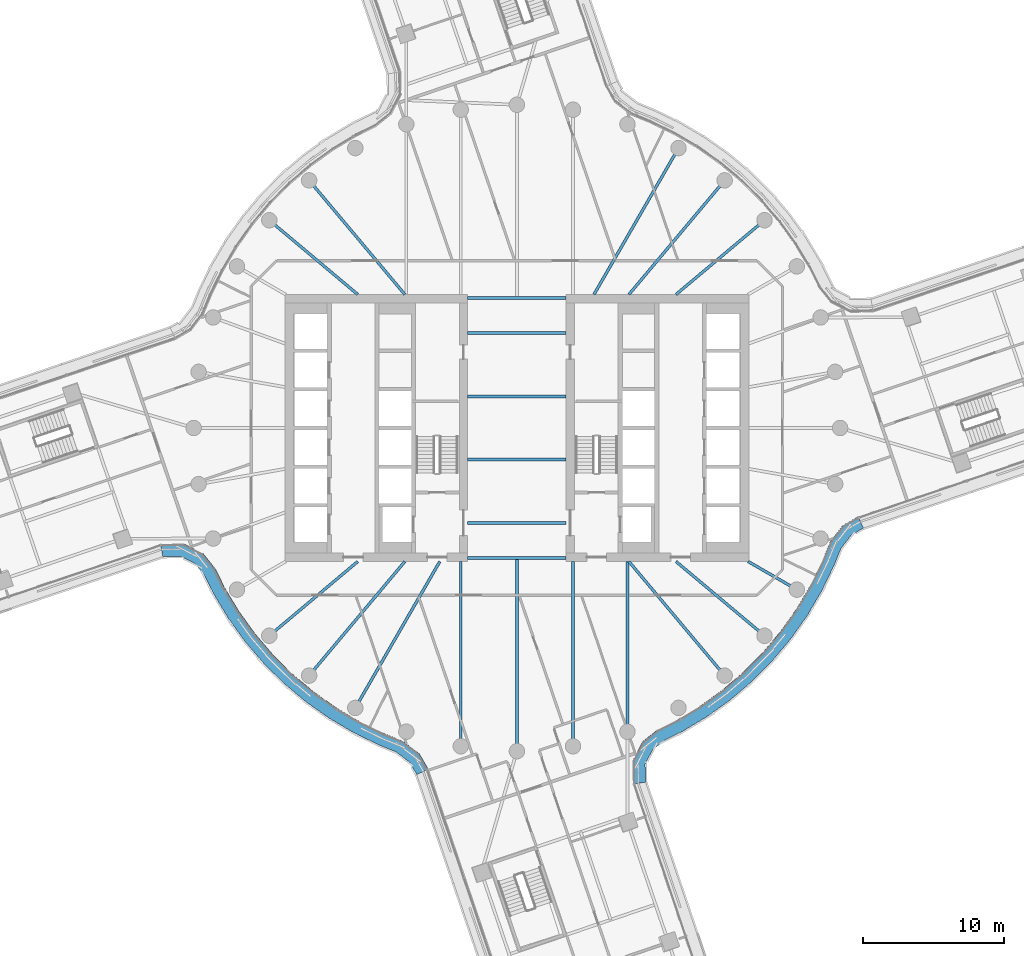
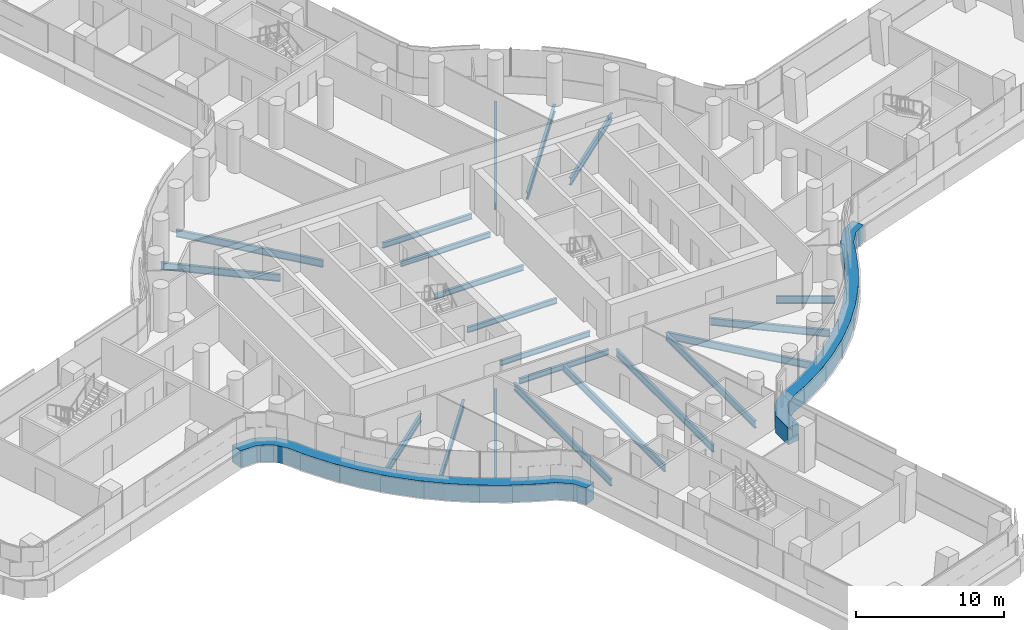
# One storey, part 8 of 29: 21 beams, 2 members, 2 elements without a shape of their own.
"""IFC4 building model written with IfcOpenShell, lengths in metres."""

from ifc_helpers import new_model, si_unit, direction, frame, origin, origin_2d, place, context, subcontext, project, spatial, polyline, i_section, outline, extrude, material, layer, layer_set, material_profile, profile_set, type_object, element, aggregate, save


model = new_model("IFC4")

# Units and contexts
model_context = context("Model", 3, precision=1e-05, world=origin(), true_north=direction((0.0, 1.0)))
body_context = subcontext(model_context, "Body", "Model", "MODEL_VIEW")
ifc_project = project(units=[si_unit("LENGTHUNIT", "METRE"), si_unit("AREAUNIT", "SQUARE_METRE"), si_unit("VOLUMEUNIT", "CUBIC_METRE"), si_unit("PLANEANGLEUNIT", "RADIAN"), si_unit("MASSUNIT", "GRAM", prefix="KILO")], contexts=[model_context])

# Site, building, storey
site_placement = place(None, origin())
site = spatial("IfcSite", under=ifc_project, at=site_placement, CompositionType="ELEMENT")
building_placement = place(site_placement, origin())
building = spatial("IfcBuilding", under=site, at=building_placement, Name="Tamarind Cross Interchange Tower", CompositionType="ELEMENT")
storey_placement = place(building_placement, frame((0.0, 0.0, 102.25)))
storey = spatial("IfcBuildingStorey", under=building, at=storey_placement, Name="L24", CompositionType="ELEMENT", Elevation=102.25)

# Beams
ifc_material_1 = material(Name="Steel Q355B", Category="steel")
ifc_material_profile_1 = material_profile(ifc_material_1, i_section(OverallWidth=0.198974609375, OverallDepth=0.446044921875, WebThickness=0.008056640625, FlangeThickness=0.011962890625, FilletRadius=0.012939453125, at=origin_2d()), Name="HN 446x199x8x12")
ifc_profile_set_1 = profile_set([ifc_material_profile_1], Name="Steel Q355B")
beam_type_1 = type_object("IfcBeamType", Name="Composite beam HN 446x199x8x12 Q355B", PredefinedType="BEAM", material=ifc_profile_set_1)
for number, where, z_axis, x_axis, name in (
    (1, (-3.5, -2.25, -0.363037109375), (1.0, 0.0, 0.0), (0.0, 1.0, 0.0), "Beam G-2.25"),
    (2, (-3.5, -6.75, -0.363037109375), (1.0, 0.0, 0.0), (0.0, 1.0, 0.0), "Beam G-6.75"),
    (3, (-3.5, -9.25, -0.363037109375), (1.0, 0.0, 0.0), (0.0, 1.0, 0.0), "Beam G-9.25"),
    (4, (-3.5, 2.25, -0.363037109375), (1.0, 0.0, 0.0), (0.0, 1.0, 0.0), "Beam G2.25"),
    (5, (-3.5, 6.75, -0.363037109375), (1.0, 0.0, 0.0), (0.0, 1.0, 0.0), "Beam G6.75"),
    (6, (-3.5, 9.25, -0.363037109375), (1.0, 0.0, 0.0), (0.0, 1.0, 0.0), "Beam G9.25"),
):
    element("IfcBeam", number, at=place(storey_placement, frame(where, z_axis=z_axis, x_axis=x_axis)), inside=storey, type_object=beam_type_1, Name=name, PredefinedType="BEAM", context=body_context, shape_type="SweptSolid", body=[
        extrude(i_section(OverallWidth=0.198974609375, OverallDepth=0.446044921875, WebThickness=0.008056640625, FlangeThickness=0.011962890625, FilletRadius=0.012939453125, at=origin_2d()), origin(), (0.0, 0.0, 1.0), 7.0),
    ])
ifc_material_profile_2 = material_profile(ifc_material_1, i_section(OverallWidth=0.198974609375, OverallDepth=0.595947265625, WebThickness=0.010009765625, FlangeThickness=0.014892578125, FilletRadius=0.012939453125, at=origin_2d()), Name="HN 596x199x10x15")
ifc_profile_set_2 = profile_set([ifc_material_profile_2], Name="Steel Q355B")
beam_type_2 = type_object("IfcBeamType", Name="Composite beam HN 596x199x10x15 Q355B", PredefinedType="BEAM", material=ifc_profile_set_2)
beam_1_placement = place(storey_placement, frame((17.619140625, 14.7841796875, -0.43798828125), z_axis=(-0.766040580814, -0.642792212574, 0.0), x_axis=(0.642792212574, -0.766040580814, 0.0)))
element("IfcBeam", 7, at=beam_1_placement, inside=storey, type_object=beam_type_2, Name="Beam HH04", PredefinedType="BEAM", context=body_context, shape_type="SweptSolid", body=[
    extrude(i_section(OverallWidth=0.198974609375, OverallDepth=0.595947265625, WebThickness=0.010009765625, FlangeThickness=0.014892578125, FilletRadius=0.012939453125, at=origin_2d()), origin(), (0.0, 0.0, 1.0), 8.220703125),
])
beam_2_placement = place(storey_placement, frame((14.7841796875, 17.619140625, -0.43798828125), z_axis=(-0.642786293979, -0.766045547127, 0.0), x_axis=(0.766045547127, -0.642786293979, 0.0)))
element("IfcBeam", 8, at=beam_2_placement, inside=storey, type_object=beam_type_2, Name="Beam HH05", PredefinedType="BEAM", context=body_context, shape_type="SweptSolid", body=[
    extrude(i_section(OverallWidth=0.198974609375, OverallDepth=0.595947265625, WebThickness=0.010009765625, FlangeThickness=0.014892578125, FilletRadius=0.012939453125, at=origin_2d()), origin(), (0.0, 0.0, 1.0), 10.598876953125),
])
beam_3_placement = place(storey_placement, frame((11.5, 19.918701171875, -0.43798828125), z_axis=(-0.499993565836, -0.866029118519, 0.0), x_axis=(0.866029118519, -0.499993565836, 0.0)))
element("IfcBeam", 9, at=beam_3_placement, inside=storey, type_object=beam_type_2, Name="Beam HH06", PredefinedType="BEAM", context=body_context, shape_type="SweptSolid", body=[
    extrude(i_section(OverallWidth=0.198974609375, OverallDepth=0.595947265625, WebThickness=0.010009765625, FlangeThickness=0.014892578125, FilletRadius=0.012939453125, at=origin_2d()), origin(), (0.0, 0.0, 1.0), 12.030517578125),
])
beam_4_placement = place(storey_placement, frame((-14.7841796875, 17.619140625, -0.43798828125), z_axis=(0.642786293979, -0.766045547127, 0.0), x_axis=(0.766045547127, 0.642786293979, 0.0)))
element("IfcBeam", 10, at=beam_4_placement, inside=storey, type_object=beam_type_2, Name="Beam HH13", PredefinedType="BEAM", context=body_context, shape_type="SweptSolid", body=[
    extrude(i_section(OverallWidth=0.198974609375, OverallDepth=0.595947265625, WebThickness=0.010009765625, FlangeThickness=0.014892578125, FilletRadius=0.012939453125, at=origin_2d()), origin(), (0.0, 0.0, 1.0), 10.598876953125),
])
for number, where, z_axis, x_axis, name in (
    (11, (-17.619140625, 14.7841796875, -0.43798828125), (0.766040580814, -0.642792212574, 0.0), (0.642792212574, 0.766040580814, 0.0), "Beam HH14"),
    (12, (-17.619140625, -14.7841796875, -0.43798828125), (0.766040580814, 0.642792212574, 0.0), (-0.642792212574, 0.766040580814, 0.0), "Beam HH22"),
):
    element("IfcBeam", number, at=place(storey_placement, frame(where, z_axis=z_axis, x_axis=x_axis)), inside=storey, type_object=beam_type_2, Name=name, PredefinedType="BEAM", context=body_context, shape_type="SweptSolid", body=[
        extrude(i_section(OverallWidth=0.198974609375, OverallDepth=0.595947265625, WebThickness=0.010009765625, FlangeThickness=0.014892578125, FilletRadius=0.012939453125, at=origin_2d()), origin(), (0.0, 0.0, 1.0), 8.220703125),
    ])
beam_5_placement = place(storey_placement, frame((-14.7841796875, -17.619140625, -0.43798828125), z_axis=(0.642786293979, 0.766045547127, 0.0), x_axis=(-0.766045547127, 0.642786293979, 0.0)))
element("IfcBeam", 13, at=beam_5_placement, inside=storey, type_object=beam_type_2, Name="Beam HH23", PredefinedType="BEAM", context=body_context, shape_type="SweptSolid", body=[
    extrude(i_section(OverallWidth=0.198974609375, OverallDepth=0.595947265625, WebThickness=0.010009765625, FlangeThickness=0.014892578125, FilletRadius=0.012939453125, at=origin_2d()), origin(), (0.0, 0.0, 1.0), 10.598876953125),
])
beam_6_placement = place(storey_placement, frame((-11.5, -19.918701171875, -0.43798828125), z_axis=(0.499993565836, 0.866029118519, 0.0), x_axis=(-0.866029118519, 0.499993565836, 0.0)))
element("IfcBeam", 14, at=beam_6_placement, inside=storey, type_object=beam_type_2, Name="Beam HH24", PredefinedType="BEAM", context=body_context, shape_type="SweptSolid", body=[
    extrude(i_section(OverallWidth=0.198974609375, OverallDepth=0.595947265625, WebThickness=0.010009765625, FlangeThickness=0.014892578125, FilletRadius=0.012939453125, at=origin_2d()), origin(), (0.0, 0.0, 1.0), 12.030517578125),
])
beam_7_placement = place(storey_placement, frame((-3.993896484375, -22.650634765625, -0.43798828125), z_axis=(0.0, 1.0, 0.0), x_axis=(-1.0, 0.0, 0.0)))
element("IfcBeam", 15, at=beam_7_placement, inside=storey, type_object=beam_type_2, Name="Beam HH26", PredefinedType="BEAM", context=body_context, shape_type="SweptSolid", body=[
    extrude(i_section(OverallWidth=0.198974609375, OverallDepth=0.595947265625, WebThickness=0.010009765625, FlangeThickness=0.014892578125, FilletRadius=0.012939453125, at=origin_2d()), origin(), (0.0, 0.0, 1.0), 13.150634765625),
])
beam_8_placement = place(storey_placement, frame((0.0, -23.0, -0.43798828125), z_axis=(0.0, 1.0, 0.0), x_axis=(-1.0, 0.0, 0.0)))
element("IfcBeam", 16, at=beam_8_placement, inside=storey, type_object=beam_type_2, Name="Beam HH27", PredefinedType="BEAM", context=body_context, shape_type="SweptSolid", body=[
    extrude(i_section(OverallWidth=0.198974609375, OverallDepth=0.595947265625, WebThickness=0.010009765625, FlangeThickness=0.014892578125, FilletRadius=0.012939453125, at=origin_2d()), origin(), (0.0, 0.0, 1.0), 13.75),
])
beam_9_placement = place(storey_placement, frame((3.993896484375, -22.650634765625, -0.43798828125), z_axis=(0.0, 1.0, 0.0), x_axis=(-1.0, 0.0, 0.0)))
element("IfcBeam", 17, at=beam_9_placement, inside=storey, type_object=beam_type_2, Name="Beam HH28", PredefinedType="BEAM", context=body_context, shape_type="SweptSolid", body=[
    extrude(i_section(OverallWidth=0.198974609375, OverallDepth=0.595947265625, WebThickness=0.010009765625, FlangeThickness=0.014892578125, FilletRadius=0.012939453125, at=origin_2d()), origin(), (0.0, 0.0, 1.0), 13.150634765625),
])
beam_10_placement = place(storey_placement, frame((7.866455078125, -21.613037109375, -0.43798828125), z_axis=(0.0, 1.0, 0.0), x_axis=(-1.0, 0.0, 0.0)))
element("IfcBeam", 18, at=beam_10_placement, inside=storey, type_object=beam_type_2, Name="Beam HH29", PredefinedType="BEAM", context=body_context, shape_type="SweptSolid", body=[
    extrude(i_section(OverallWidth=0.198974609375, OverallDepth=0.595947265625, WebThickness=0.010009765625, FlangeThickness=0.014892578125, FilletRadius=0.012939453125, at=origin_2d()), origin(), (0.0, 0.0, 1.0), 12.113037109375),
])
beam_11_placement = place(storey_placement, frame((14.7841796875, -17.619140625, -0.43798828125), z_axis=(-0.642786293979, 0.766045547127, 0.0), x_axis=(-0.766045547127, -0.642786293979, 0.0)))
element("IfcBeam", 19, at=beam_11_placement, inside=storey, type_object=beam_type_2, Name="Beam HH31", PredefinedType="BEAM", context=body_context, shape_type="SweptSolid", body=[
    extrude(i_section(OverallWidth=0.198974609375, OverallDepth=0.595947265625, WebThickness=0.010009765625, FlangeThickness=0.014892578125, FilletRadius=0.012939453125, at=origin_2d()), origin(), (0.0, 0.0, 1.0), 10.598876953125),
])
beam_12_placement = place(storey_placement, frame((17.619140625, -14.7841796875, -0.43798828125), z_axis=(-0.766040580814, 0.642792212574, 0.0), x_axis=(-0.642792212574, -0.766040580814, 0.0)))
element("IfcBeam", 20, at=beam_12_placement, inside=storey, type_object=beam_type_2, Name="Beam HH32", PredefinedType="BEAM", context=body_context, shape_type="SweptSolid", body=[
    extrude(i_section(OverallWidth=0.198974609375, OverallDepth=0.595947265625, WebThickness=0.010009765625, FlangeThickness=0.014892578125, FilletRadius=0.012939453125, at=origin_2d()), origin(), (0.0, 0.0, 1.0), 8.220703125),
])
beam_13_placement = place(storey_placement, frame((19.918701171875, -11.5, -0.43798828125), z_axis=(-0.866026010844, 0.49999894854, 0.0), x_axis=(-0.49999894854, -0.866026010844, 0.0)))
element("IfcBeam", 21, at=beam_13_placement, inside=storey, type_object=beam_type_2, Name="Beam HH33", PredefinedType="BEAM", context=body_context, shape_type="SweptSolid", body=[
    extrude(i_section(OverallWidth=0.198974609375, OverallDepth=0.595947265625, WebThickness=0.010009765625, FlangeThickness=0.014892578125, FilletRadius=0.012939453125, at=origin_2d()), origin(), (0.0, 0.0, 1.0), 4.0),
])

# Curtain wall, member
ifc_material_2 = material(Name="Aluminium 6063-T6", Category="aluminium")
ifc_layer = layer(ifc_material_2, 0.159912109375)
ifc_layer_set = layer_set([ifc_layer], Name="Aluminium 6063-T6")
curtain_wall_type = type_object("IfcCurtainWallType", Name="Office curtain wall, 9.0 m bays", PredefinedType="NOTDEFINED", material=ifc_layer_set)
curtain_wall_1_placement = place(storey_placement, origin())
curtain_wall_1 = element("IfcCurtainWall", 22, at=curtain_wall_1_placement, inside=storey, type_object=curtain_wall_type, Name="CWS-L24-02", PredefinedType="NOTDEFINED")
ifc_material_3 = material(Name="Aluminium and insulated spandrel panel", Category="aluminium")
member_type = type_object("IfcMemberType", Name="Floor-edge blade transom", PredefinedType="USERDEFINED", material=ifc_material_3)
member_1_placement = place(storey_placement, origin())
member_1 = element("IfcMember", 23, at=member_1_placement, type_object=member_type, Name="CWT-L24-02", ObjectType="TRANSOM", PredefinedType="USERDEFINED", context=body_context, shape_type="SweptSolid", body=[
    extrude(outline(polyline([(-25.35595703125, -8.251220703125), (-23.705810546875, -8.227783203125), (-22.329345703125, -8.93310546875), (-21.454833984375, -10.029541015625), (-20.791015625, -11.3671875), (-19.78125, -13.045654296875), (-18.636474609375, -14.634521484375), (-17.3642578125, -16.12353515625), (-15.973388671875, -17.50244140625), (-14.4736328125, -18.76171875), (-12.874755859375, -19.892822265625), (-11.188232421875, -20.88818359375), (-9.422119140625, -21.741943359375), (-8.116943359375, -22.277099609375), (-6.938720703125, -23.184326171875), (-6.2998046875, -24.28466796875), (-7.123046875, -24.659423828125), (-7.6279296875, -23.789306640625), (-8.5703125, -23.06396484375), (-9.7890625, -22.564208984375), (-11.613525390625, -21.68212890625), (-13.3642578125, -20.64892578125), (-15.023681640625, -19.474853515625), (-16.580810546875, -18.167724609375), (-18.0244140625, -16.736572265625), (-19.344970703125, -15.19091796875), (-20.533203125, -13.54150390625), (-21.5810546875, -11.800048828125), (-22.21826171875, -10.515625), (-22.912109375, -9.645751953125), (-23.9169921875, -9.130859375), (-25.201416015625, -9.149169921875), (-25.35595703125, -8.251220703125)])), origin(), (0.0, 0.0, 1.0), 1.39990234375),
])
aggregate(curtain_wall_1, [member_1])

curtain_wall_2_placement = place(storey_placement, origin())
curtain_wall_2 = element("IfcCurtainWall", 24, at=curtain_wall_2_placement, inside=storey, type_object=curtain_wall_type, Name="CWS-L24-06", PredefinedType="NOTDEFINED")
member_2_placement = place(storey_placement, origin())
member_2 = element("IfcMember", 25, at=member_2_placement, type_object=member_type, Name="CWT-L24-06", ObjectType="TRANSOM", PredefinedType="USERDEFINED", context=body_context, shape_type="SweptSolid", body=[
    extrude(outline(polyline([(8.251220703125, -25.35595703125), (8.227783203125, -23.705810546875), (8.93310546875, -22.329345703125), (10.029541015625, -21.454833984375), (11.3671875, -20.791015625), (13.045654296875, -19.78125), (14.634521484375, -18.636474609375), (16.12353515625, -17.3642578125), (17.50244140625, -15.973388671875), (18.76171875, -14.4736328125), (19.892822265625, -12.874755859375), (20.88818359375, -11.188232421875), (21.741943359375, -9.422119140625), (22.277099609375, -8.116943359375), (23.184326171875, -6.938720703125), (24.28466796875, -6.2998046875), (24.659423828125, -7.123046875), (23.789306640625, -7.6279296875), (23.06396484375, -8.5703125), (22.564208984375, -9.7890625), (21.68212890625, -11.613525390625), (20.64892578125, -13.3642578125), (19.474853515625, -15.023681640625), (18.167724609375, -16.580810546875), (16.736572265625, -18.0244140625), (15.19091796875, -19.344970703125), (13.54150390625, -20.533203125), (11.800048828125, -21.5810546875), (10.515625, -22.21826171875), (9.645751953125, -22.912109375), (9.130859375, -23.9169921875), (9.149169921875, -25.201416015625), (8.251220703125, -25.35595703125)])), origin(), (0.0, 0.0, 1.0), 1.39990234375),
])
aggregate(curtain_wall_2, [member_2])

save(model, "model.ifc")
